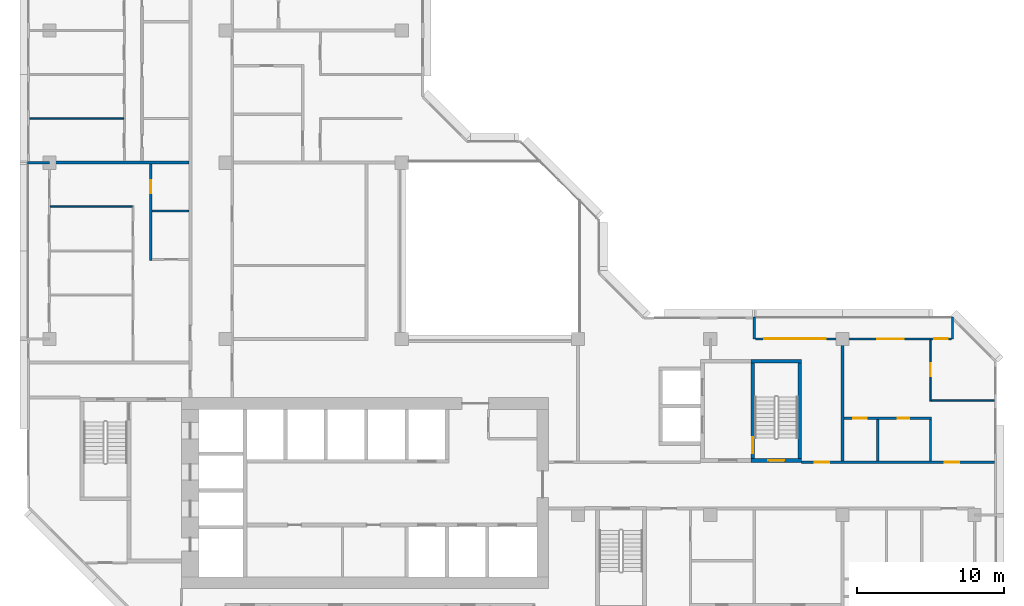
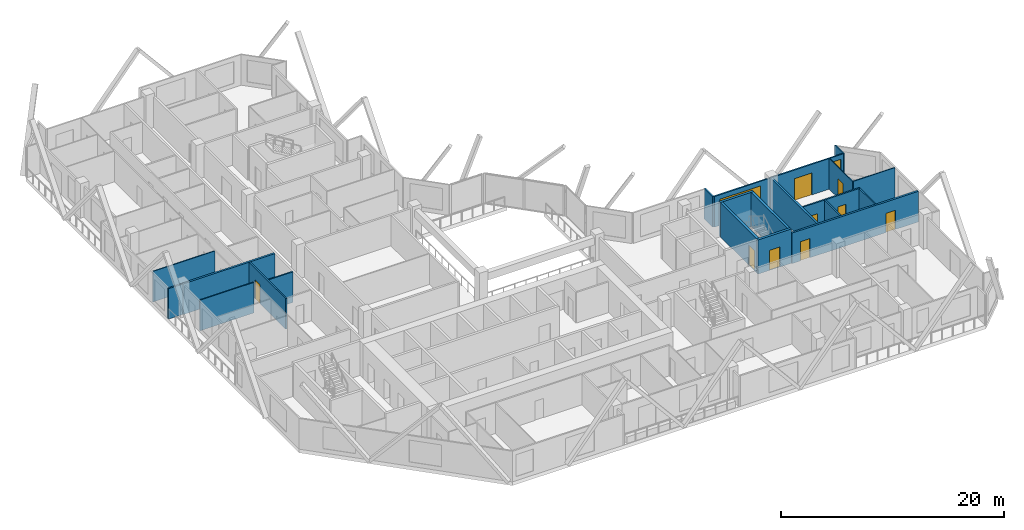
# One storey, part 8 of 14: 20 walls, 9 doors, 2 windows, 11 openings.
"""IFC4 building model written with IfcOpenShell, lengths in metres."""

from ifc_helpers import new_model, si_unit, direction, frame, frame_2d, origin, place, context, subcontext, project, spatial, rectangle, extrude, material, layer, layer_set, type_object, element, fill, save


model = new_model("IFC4")

# Units and contexts
model_context = context("Model", 3, precision=1e-05, world=origin(), true_north=direction((0.0, 1.0)))
body_context = subcontext(model_context, "Body", "Model", "MODEL_VIEW")
ifc_project = project(units=[si_unit("LENGTHUNIT", "METRE"), si_unit("AREAUNIT", "SQUARE_METRE"), si_unit("VOLUMEUNIT", "CUBIC_METRE"), si_unit("PLANEANGLEUNIT", "RADIAN"), si_unit("MASSUNIT", "GRAM", prefix="KILO")], contexts=[model_context])

# Site, building, storey
site_placement = place(None, origin())
site = spatial("IfcSite", under=ifc_project, at=site_placement, CompositionType="ELEMENT")
building_placement = place(site_placement, origin())
building = spatial("IfcBuilding", under=site, at=building_placement, Name="Chenar Terraces", CompositionType="ELEMENT")
storey_placement = place(building_placement, frame((0.0, 0.0, 157.39990234375)))
storey = spatial("IfcBuildingStorey", under=building, at=storey_placement, Name="L35", CompositionType="ELEMENT", Elevation=157.39990234375)

# Wall, opening, door
ifc_material_1 = material(Name="Concrete C60/75", Category="concrete")
ifc_layer_1 = layer(ifc_material_1, 0.25)
ifc_layer_set_1 = layer_set([ifc_layer_1], Name="Concrete C60/75")
wall_type_1 = type_object("IfcWallType", Name="Core wall 250 Concrete C60/75", PredefinedType="SHEAR", material=ifc_layer_set_1)
wall_1_placement = place(storey_placement, frame((47.77490234375, 15.72509765625, 0.0), z_axis=(0.0, 0.0, 1.0), x_axis=(1.0, 0.0, 0.0)))
wall_1 = element("IfcWall", 1, at=wall_1_placement, inside=storey, type_object=wall_type_1, Name="Core wall ST3_S L35", PredefinedType="SHEAR", context=body_context, shape_type="SweptSolid", body=[
    extrude(rectangle(XDim=3.4501953125, YDim=0.25, at=frame_2d((1.72509765625, 0.0))), origin(), (0.0, 0.0, 1.0), 3.75),
])
opening_1_placement = place(wall_1_placement, frame((1.175048828125, 0.0, 0.0)))
opening_1 = element("IfcOpeningElement", 2, at=opening_1_placement, cuts=wall_1, Name="Opening DL35-C8", PredefinedType="OPENING", context=body_context, shape_type="SweptSolid", body=[
    extrude(rectangle(XDim=1.10009765625, YDim=2.199951171875, at=frame_2d((0.550048828125, 1.10009765625))), frame((0.0, 0.135009765625, 0.0), z_axis=(0.0, -1.0, 0.0), x_axis=(1.0, 0.0, 0.0)), (0.0, 0.0, 1.0), 0.27001953125),
])
ifc_material_2 = material(Name="Steel-framed fire-resisting door leaf", Category="steel")
door_type_1 = type_object("IfcDoorType", Name="Stair fire door FD60 1100 x 2200", OperationType="SINGLE_SWING_LEFT", PredefinedType="DOOR", material=ifc_material_2)
door_1_placement = place(opening_1_placement, frame((1.10009765625, 0.0, 0.0), z_axis=(0.0, 0.0, 1.0), x_axis=(-1.0, 0.0, 0.0)))
door_1 = element("IfcDoor", 3, at=door_1_placement, inside=storey, type_object=door_type_1, Name="Stair door DL35-C8", OperationType="SINGLE_SWING_LEFT", OverallHeight=2.199951171875, OverallWidth=1.10009765625, PredefinedType="DOOR", context=body_context, shape_type="SweptSolid", body=[
    extrude(rectangle(XDim=1.10009765625, YDim=2.199951171875, at=frame_2d((0.550048828125, 1.10009765625))), frame((0.0, 0.02490234375, 0.0), z_axis=(0.0, -1.0, 0.0), x_axis=(1.0, 0.0, 0.0)), (0.0, 0.0, 1.0), 0.050048828125),
])
fill(opening_1, door_1)

# Wall
wall_2_placement = place(storey_placement, frame((47.77490234375, 22.47509765625, 0.0), z_axis=(0.0, 0.0, 1.0), x_axis=(1.0, 0.0, 0.0)))
element("IfcWall", 4, at=wall_2_placement, inside=storey, type_object=wall_type_1, Name="Core wall ST3_N L35", PredefinedType="SHEAR", context=body_context, shape_type="SweptSolid", body=[
    extrude(rectangle(XDim=3.4501953125, YDim=0.25, at=frame_2d((1.72509765625, 0.0))), origin(), (0.0, 0.0, 1.0), 3.75),
])

# Wall, opening, door
wall_3_placement = place(storey_placement, frame((47.89990234375, 15.85009765625, 0.0), z_axis=(0.0, 0.0, 1.0), x_axis=(0.0, 1.0, 0.0)))
wall_3 = element("IfcWall", 5, at=wall_3_placement, inside=storey, type_object=wall_type_1, Name="Core wall ST3_W L35", PredefinedType="SHEAR", context=body_context, shape_type="SweptSolid", body=[
    extrude(rectangle(XDim=6.5, YDim=0.25, at=frame_2d((3.25, 0.0))), origin(), (0.0, 0.0, 1.0), 3.75),
])
opening_2_placement = place(wall_3_placement, frame((0.35009765625, 0.0, 0.0)))
opening_2 = element("IfcOpeningElement", 6, at=opening_2_placement, cuts=wall_3, Name="Opening DL35-C11", PredefinedType="OPENING", context=body_context, shape_type="SweptSolid", body=[
    extrude(rectangle(XDim=1.10009765625, YDim=2.199951171875, at=frame_2d((0.550048828125, 1.10009765625))), frame((0.0, 0.135009765625, 0.0), z_axis=(0.0, -1.0, 0.0), x_axis=(1.0, 0.0, 0.0)), (0.0, 0.0, 1.0), 0.27001953125),
])
door_2_placement = place(opening_2_placement, frame((1.10009765625, 0.0, 0.0), z_axis=(0.0, 0.0, 1.0), x_axis=(-1.0, 0.0, 0.0)))
door_2 = element("IfcDoor", 7, at=door_2_placement, inside=storey, type_object=door_type_1, Name="Stair door DL35-C11", OperationType="SINGLE_SWING_RIGHT", OverallHeight=2.199951171875, OverallWidth=1.10009765625, PredefinedType="DOOR", context=body_context, shape_type="SweptSolid", body=[
    extrude(rectangle(XDim=1.10009765625, YDim=2.199951171875, at=frame_2d((0.550048828125, 1.10009765625))), frame((0.0, 0.02490234375, 0.0), z_axis=(0.0, -1.0, 0.0), x_axis=(1.0, 0.0, 0.0)), (0.0, 0.0, 1.0), 0.050048828125),
])
fill(opening_2, door_2)

# Wall
wall_4_placement = place(storey_placement, frame((51.10009765625, 15.85009765625, 0.0), z_axis=(0.0, 0.0, 1.0), x_axis=(0.0, 1.0, 0.0)))
element("IfcWall", 8, at=wall_4_placement, inside=storey, type_object=wall_type_1, Name="Core wall ST3_E L35", PredefinedType="SHEAR", context=body_context, shape_type="SweptSolid", body=[
    extrude(rectangle(XDim=6.5, YDim=0.25, at=frame_2d((3.25, 0.0))), origin(), (0.0, 0.0, 1.0), 3.75),
])

# Wall, openings, doors
ifc_material_3 = material(Name="Gypsum board on steel studs with fire boards", Category="steel")
ifc_layer_2 = layer(ifc_material_3, 0.199951171875)
ifc_layer_set_2 = layer_set([ifc_layer_2], Name="Gypsum board on steel studs with fire boards")
wall_type_2 = type_object("IfcWallType", Name="Corridor wall 200", PredefinedType="PARTITIONING", material=ifc_layer_set_2)
wall_5_placement = place(storey_placement, frame((51.22509765625, 15.60009765625, 0.0), z_axis=(0.0, 0.0, 1.0), x_axis=(1.0, 0.0, 0.0)))
wall_5 = element("IfcWall", 9, at=wall_5_placement, inside=storey, type_object=wall_type_2, Name="Partition L35-072", PredefinedType="PARTITIONING", context=body_context, shape_type="SweptSolid", body=[
    extrude(rectangle(XDim=13.125, YDim=0.199951171875, at=frame_2d((6.5625, 0.0))), origin(), (0.0, 0.0, 1.0), 3.35009765625),
])
opening_3_placement = place(wall_5_placement, frame((9.72509765625, 0.0, 0.0)))
opening_3 = element("IfcOpeningElement", 10, at=opening_3_placement, cuts=wall_5, Name="Opening DL35-7", PredefinedType="OPENING", context=body_context, shape_type="SweptSolid", body=[
    extrude(rectangle(XDim=1.0, YDim=2.10009765625, at=frame_2d((0.5, 1.050048828125))), frame((0.0, 0.10986328125, 0.0), z_axis=(0.0, -1.0, 0.0), x_axis=(1.0, 0.0, 0.0)), (0.0, 0.0, 1.0), 0.219970703125),
])
opening_4_placement = place(wall_5_placement, frame((0.875, 0.0, 0.0)))
opening_4 = element("IfcOpeningElement", 11, at=opening_4_placement, cuts=wall_5, Name="Opening DL35-39", PredefinedType="OPENING", context=body_context, shape_type="SweptSolid", body=[
    extrude(rectangle(XDim=1.0, YDim=2.10009765625, at=frame_2d((0.5, 1.050048828125))), frame((0.0, 0.10986328125, 0.0), z_axis=(0.0, -1.0, 0.0), x_axis=(1.0, 0.0, 0.0)), (0.0, 0.0, 1.0), 0.219970703125),
])
ifc_material_4 = material(Name="Steel-framed fire-resisting door leaf", Category="steel")
door_type_2 = type_object("IfcDoorType", Name="Fire door FD30S 1000 x 2100", OperationType="SINGLE_SWING_LEFT", PredefinedType="DOOR", material=ifc_material_4)
door_3_placement = place(opening_3_placement, origin())
door_3 = element("IfcDoor", 12, at=door_3_placement, inside=storey, type_object=door_type_2, Name="Door DL35-7", OperationType="SINGLE_SWING_LEFT", OverallHeight=2.10009765625, OverallWidth=1.0, PredefinedType="DOOR", context=body_context, shape_type="SweptSolid", body=[
    extrude(rectangle(XDim=1.0, YDim=2.10009765625, at=frame_2d((0.5, 1.050048828125))), frame((0.0, 0.02490234375, 0.0), z_axis=(0.0, -1.0, 0.0), x_axis=(1.0, 0.0, 0.0)), (0.0, 0.0, 1.0), 0.050048828125),
])
fill(opening_3, door_3)
door_4_placement = place(opening_4_placement, origin())
door_4 = element("IfcDoor", 13, at=door_4_placement, inside=storey, type_object=door_type_2, Name="Door DL35-39", OperationType="SINGLE_SWING_RIGHT", OverallHeight=2.10009765625, OverallWidth=1.0, PredefinedType="DOOR", context=body_context, shape_type="SweptSolid", body=[
    extrude(rectangle(XDim=1.0, YDim=2.10009765625, at=frame_2d((0.5, 1.050048828125))), frame((0.0, 0.02490234375, 0.0), z_axis=(0.0, -1.0, 0.0), x_axis=(1.0, 0.0, 0.0)), (0.0, 0.0, 1.0), 0.050048828125),
])
fill(opening_4, door_4)

# Wall, openings, windows, door
ifc_material_5 = material(Name="Aluminium framed glazing", Category="aluminium")
ifc_layer_3 = layer(ifc_material_5, 0.14990234375)
ifc_layer_set_3 = layer_set([ifc_layer_3], Name="Aluminium framed glazing")
wall_type_3 = type_object("IfcWallType", Name="Glazed loggia back wall 150", PredefinedType="SOLIDWALL", material=ifc_layer_set_3)
wall_6_placement = place(storey_placement, frame((61.425048828125, 24.0, 0.0), z_axis=(0.0, 0.0, 1.0), x_axis=(-1.0, 0.0, 0.0)))
wall_6 = element("IfcWall", 14, at=wall_6_placement, inside=storey, type_object=wall_type_3, Name="Glazed loggia back wall", PredefinedType="SOLIDWALL", context=body_context, shape_type="SweptSolid", body=[
    extrude(rectangle(XDim=13.35009765625, YDim=0.14990234375, at=frame_2d((6.675048828125, 0.0))), origin(), (0.0, 0.0, 1.0), 3.35009765625),
])
opening_5_placement = place(wall_6_placement, frame((0.262451171875, 0.0, 0.449951171875)))
opening_5 = element("IfcOpeningElement", 15, at=opening_5_placement, cuts=wall_6, Name="Opening W90x240", PredefinedType="OPENING", context=body_context, shape_type="SweptSolid", body=[
    extrude(rectangle(XDim=0.89990234375, YDim=2.39990234375, at=frame_2d((0.449951171875, 1.199951171875))), frame((0.0, 0.0849609375, 0.0), z_axis=(0.0, -1.0, 0.0), x_axis=(1.0, 0.0, 0.0)), (0.0, 0.0, 1.0), 0.169921875),
])
opening_6_placement = place(wall_6_placement, frame((3.25, 0.0, 0.0)))
opening_6 = element("IfcOpeningElement", 16, at=opening_6_placement, cuts=wall_6, Name="Opening DL35-G1", PredefinedType="OPENING", context=body_context, shape_type="SweptSolid", body=[
    extrude(rectangle(XDim=1.800048828125, YDim=2.39990234375, at=frame_2d((0.89990234375, 1.199951171875))), frame((0.0, 0.0849609375, 0.0), z_axis=(0.0, -1.0, 0.0), x_axis=(1.0, 0.0, 0.0)), (0.0, 0.0, 1.0), 0.169921875),
])
opening_7_placement = place(wall_6_placement, frame((8.5625, 0.0, 0.449951171875)))
opening_7 = element("IfcOpeningElement", 17, at=opening_7_placement, cuts=wall_6, Name="Opening W420x240", PredefinedType="OPENING", context=body_context, shape_type="SweptSolid", body=[
    extrude(rectangle(XDim=4.199951171875, YDim=2.39990234375, at=frame_2d((2.10009765625, 1.199951171875))), frame((0.0, 0.0849609375, 0.0), z_axis=(0.0, -1.0, 0.0), x_axis=(1.0, 0.0, 0.0)), (0.0, 0.0, 1.0), 0.169921875),
])
ifc_material_6 = material(Name="Low emissivity double glazing, aluminium frame", Category="aluminium")
window_type_1 = type_object("IfcWindowType", Name="Fixed light 4200 x 2400", PartitioningType="SINGLE_PANEL", PredefinedType="WINDOW", material=ifc_material_6)
window_1_placement = place(opening_7_placement, origin())
window_1 = element("IfcWindow", 18, at=window_1_placement, inside=storey, type_object=window_type_1, Name="Window", OverallHeight=2.39990234375, OverallWidth=4.199951171875, PartitioningType="SINGLE_PANEL", PredefinedType="WINDOW", context=body_context, shape_type="SweptSolid", body=[
    extrude(rectangle(XDim=4.199951171875, YDim=2.39990234375, at=frame_2d((2.10009765625, 1.199951171875))), frame((0.0, 0.030029296875, 0.0), z_axis=(0.0, -1.0, 0.0), x_axis=(1.0, 0.0, 0.0)), (0.0, 0.0, 1.0), 0.06005859375),
])
fill(opening_7, window_1)
ifc_material_7 = material(Name="Low emissivity double glazing, aluminium frame", Category="aluminium")
window_type_2 = type_object("IfcWindowType", Name="Fixed light 900 x 2400", PartitioningType="SINGLE_PANEL", PredefinedType="WINDOW", material=ifc_material_7)
window_2_placement = place(opening_5_placement, origin())
window_2 = element("IfcWindow", 19, at=window_2_placement, inside=storey, type_object=window_type_2, Name="Window", OverallHeight=2.39990234375, OverallWidth=0.89990234375, PartitioningType="SINGLE_PANEL", PredefinedType="WINDOW", context=body_context, shape_type="SweptSolid", body=[
    extrude(rectangle(XDim=0.89990234375, YDim=2.39990234375, at=frame_2d((0.449951171875, 1.199951171875))), frame((0.0, 0.030029296875, 0.0), z_axis=(0.0, -1.0, 0.0), x_axis=(1.0, 0.0, 0.0)), (0.0, 0.0, 1.0), 0.06005859375),
])
fill(opening_5, window_2)
ifc_material_8 = material(Name="Low emissivity double glazing, aluminium frame", Category="aluminium")
door_type_3 = type_object("IfcDoorType", Name="Loggia glazed double door 1800 x 2400", OperationType="DOUBLE_DOOR_SINGLE_SWING", PredefinedType="DOOR", material=ifc_material_8)
door_5_placement = place(opening_6_placement, frame((1.800048828125, 0.0, 0.0), z_axis=(0.0, 0.0, 1.0), x_axis=(-1.0, 0.0, 0.0)))
door_5 = element("IfcDoor", 20, at=door_5_placement, inside=storey, type_object=door_type_3, Name="Loggia glazed door", OperationType="DOUBLE_DOOR_SINGLE_SWING", OverallHeight=2.39990234375, OverallWidth=1.800048828125, PredefinedType="DOOR", context=body_context, shape_type="SweptSolid", body=[
    extrude(rectangle(XDim=1.800048828125, YDim=2.39990234375, at=frame_2d((0.89990234375, 1.199951171875))), frame((0.0, 0.02490234375, 0.0), z_axis=(0.0, -1.0, 0.0), x_axis=(1.0, 0.0, 0.0)), (0.0, 0.0, 1.0), 0.050048828125),
])
fill(opening_6, door_5)

# Walls
ifc_material_9 = material(Name="Gypsum board on steel studs", Category="steel")
ifc_layer_4 = layer(ifc_material_9, 0.10009765625)
ifc_layer_set_4 = layer_set([ifc_layer_4], Name="Gypsum board on steel studs")
wall_type_4 = type_object("IfcWallType", Name="Gypsum partition 100", PredefinedType="PARTITIONING", material=ifc_layer_set_4)
wall_7_placement = place(storey_placement, frame((-1.35107421875, 39.0, 0.0), z_axis=(0.0, 0.0, 1.0), x_axis=(1.0, 0.0, 0.0)))
element("IfcWall", 21, at=wall_7_placement, inside=storey, type_object=wall_type_4, Name="Partition L35-001", PredefinedType="PARTITIONING", context=body_context, shape_type="SweptSolid", body=[
    extrude(rectangle(XDim=6.401123046875, YDim=0.10009765625, at=frame_2d((3.20068359375, 0.0))), origin(), (0.0, 0.0, 1.0), 3.35009765625),
])
wall_8_placement = place(storey_placement, frame((0.073974609375, 33.0, 0.0), z_axis=(0.0, 0.0, 1.0), x_axis=(1.0, 0.0, 0.0)))
element("IfcWall", 22, at=wall_8_placement, inside=storey, type_object=wall_type_4, Name="Partition L35-010", PredefinedType="PARTITIONING", context=body_context, shape_type="SweptSolid", body=[
    extrude(rectangle(XDim=5.575927734375, YDim=0.10009765625, at=frame_2d((2.7880859375, 0.0))), origin(), (0.0, 0.0, 1.0), 3.35009765625),
])

# Wall, opening, door
wall_9_placement = place(storey_placement, frame((60.0, 19.75, 0.0), z_axis=(0.0, 0.0, 1.0), x_axis=(0.0, 1.0, 0.0)))
wall_9 = element("IfcWall", 23, at=wall_9_placement, inside=storey, type_object=wall_type_4, Name="Partition L35-083", PredefinedType="PARTITIONING", context=body_context, shape_type="SweptSolid", body=[
    extrude(rectangle(XDim=4.176025390625, YDim=0.10009765625, at=frame_2d((2.087890625, 0.0))), origin(), (0.0, 0.0, 1.0), 3.35009765625),
])
opening_8_placement = place(wall_9_placement, frame((1.699951171875, 0.0, 0.0)))
opening_8 = element("IfcOpeningElement", 24, at=opening_8_placement, cuts=wall_9, Name="Opening DL35-5", PredefinedType="OPENING", context=body_context, shape_type="SweptSolid", body=[
    extrude(rectangle(XDim=0.89990234375, YDim=2.10009765625, at=frame_2d((0.449951171875, 1.050048828125))), frame((0.0, 0.06005859375, 0.0), z_axis=(0.0, -1.0, 0.0), x_axis=(1.0, 0.0, 0.0)), (0.0, 0.0, 1.0), 0.1201171875),
])
ifc_material_10 = material(Name="Veneered timber door leaf", Category="wood")
door_type_4 = type_object("IfcDoorType", Name="Door 900 x 2100", OperationType="SINGLE_SWING_LEFT", PredefinedType="DOOR", material=ifc_material_10)
door_6_placement = place(opening_8_placement, frame((0.89990234375, 0.0, 0.0), z_axis=(0.0, 0.0, 1.0), x_axis=(-1.0, 0.0, 0.0)))
door_6 = element("IfcDoor", 25, at=door_6_placement, inside=storey, type_object=door_type_4, Name="Door DL35-5", OperationType="SINGLE_SWING_RIGHT", OverallHeight=2.10009765625, OverallWidth=0.89990234375, PredefinedType="DOOR", context=body_context, shape_type="SweptSolid", body=[
    extrude(rectangle(XDim=0.89990234375, YDim=2.10009765625, at=frame_2d((0.449951171875, 1.050048828125))), frame((0.0, 0.02490234375, 0.0), z_axis=(0.0, -1.0, 0.0), x_axis=(1.0, 0.0, 0.0)), (0.0, 0.0, 1.0), 0.050048828125),
])
fill(opening_8, door_6)

# Walls
wall_10_placement = place(storey_placement, frame((60.050048828125, 19.800048828125, 0.0), z_axis=(0.0, 0.0, 1.0), x_axis=(1.0, 0.0, 0.0)))
element("IfcWall", 26, at=wall_10_placement, inside=storey, type_object=wall_type_4, Name="Partition L35-084", PredefinedType="PARTITIONING", context=body_context, shape_type="SweptSolid", body=[
    extrude(rectangle(XDim=4.300048828125, YDim=0.10009765625, at=frame_2d((2.14990234375, 0.0))), origin(), (0.0, 0.0, 1.0), 3.35009765625),
])
ifc_material_11 = material(Name="Terracotta cladding on insulated backing", Category="masonry")
ifc_layer_5 = layer(ifc_material_11, 0.14990234375)
ifc_layer_set_5 = layer_set([ifc_layer_5], Name="Terracotta cladding on insulated backing")
wall_type_5 = type_object("IfcWallType", Name="Loggia return wall 150", PredefinedType="SOLIDWALL", material=ifc_layer_set_5)
for number, where, z_axis, x_axis, name in (
    (27, (61.5, 25.5, 0.0), (0.0, 0.0, 1.0), (0.0, -1.0, 0.0), "Loggia return wall"),
    (28, (48.0, 25.5, 0.0), (0.0, 0.0, 1.0), (0.0, -1.0, 0.0), "Loggia return wall"),
    (29, (-1.5, 36.0, 0.0), (0.0, 0.0, 1.0), (1.0, 0.0, 0.0), "Loggia return wall"),
):
    element("IfcWall", number, at=place(storey_placement, frame(where, z_axis=z_axis, x_axis=x_axis)), inside=storey, type_object=wall_type_5, Name=name, PredefinedType="SOLIDWALL", context=body_context, shape_type="SweptSolid", body=[
        extrude(rectangle(XDim=1.5, YDim=0.14990234375, at=frame_2d((0.75, 0.0))), origin(), (0.0, 0.0, 1.0), 3.35009765625),
    ])
ifc_material_12 = material(Name="Twin gypsum board on steel studs with mineral wool", Category="steel")
ifc_layer_6 = layer(ifc_material_12, 0.199951171875)
ifc_layer_set_6 = layer_set([ifc_layer_6], Name="Twin gypsum board on steel studs with mineral wool")
wall_type_6 = type_object("IfcWallType", Name="Unit demising wall 200", PredefinedType="PARTITIONING", material=ifc_layer_set_6)
wall_11_placement = place(storey_placement, frame((0.0, 36.0, 0.0), z_axis=(0.0, 0.0, 1.0), x_axis=(1.0, 0.0, 0.0)))
element("IfcWall", 30, at=wall_11_placement, inside=storey, type_object=wall_type_6, Name="Partition L35-006", PredefinedType="PARTITIONING", context=body_context, shape_type="SweptSolid", body=[
    extrude(rectangle(XDim=9.5, YDim=0.199951171875, at=frame_2d((4.75, 0.0))), origin(), (0.0, 0.0, 1.0), 3.35009765625),
])
wall_12_placement = place(storey_placement, frame((54.0, 15.699951171875, 0.0), z_axis=(0.0, 0.0, 1.0), x_axis=(0.0, 1.0, 0.0)))
element("IfcWall", 31, at=wall_12_placement, inside=storey, type_object=wall_type_6, Name="Partition L35-074", PredefinedType="PARTITIONING", context=body_context, shape_type="SweptSolid", body=[
    extrude(rectangle(XDim=8.22607421875, YDim=0.199951171875, at=frame_2d((4.113037109375, 0.0))), origin(), (0.0, 0.0, 1.0), 3.35009765625),
])

# Wall, opening, door
ifc_material_13 = material(Name="Moisture-resistant gypsum board on steel studs", Category="steel")
ifc_layer_7 = layer(ifc_material_13, 0.14990234375)
ifc_layer_set_7 = layer_set([ifc_layer_7], Name="Moisture-resistant gypsum board on steel studs")
wall_type_7 = type_object("IfcWallType", Name="Wet-room partition 150", PredefinedType="PARTITIONING", material=ifc_layer_set_7)
wall_13_placement = place(storey_placement, frame((6.89990234375, 29.324951171875, 0.0), z_axis=(0.0, 0.0, 1.0), x_axis=(0.0, 1.0, 0.0)))
wall_13 = element("IfcWall", 32, at=wall_13_placement, inside=storey, type_object=wall_type_7, Name="Partition L35-023", PredefinedType="PARTITIONING", context=body_context, shape_type="SweptSolid", body=[
    extrude(rectangle(XDim=6.574951171875, YDim=0.14990234375, at=frame_2d((3.28759765625, 0.0))), origin(), (0.0, 0.0, 1.0), 3.35009765625),
])
opening_9_placement = place(wall_13_placement, frame((4.574951171875, 0.0, 0.0)))
opening_9 = element("IfcOpeningElement", 33, at=opening_9_placement, cuts=wall_13, Name="Opening DL35-61", PredefinedType="OPENING", context=body_context, shape_type="SweptSolid", body=[
    extrude(rectangle(XDim=0.89990234375, YDim=2.10009765625, at=frame_2d((0.449951171875, 1.050048828125))), frame((0.0, 0.0849609375, 0.0), z_axis=(0.0, -1.0, 0.0), x_axis=(1.0, 0.0, 0.0)), (0.0, 0.0, 1.0), 0.169921875),
])
door_7_placement = place(opening_9_placement, frame((0.89990234375, 0.0, 0.0), z_axis=(0.0, 0.0, 1.0), x_axis=(-1.0, 0.0, 0.0)))
door_7 = element("IfcDoor", 34, at=door_7_placement, inside=storey, type_object=door_type_4, Name="Door DL35-61", OperationType="SINGLE_SWING_LEFT", OverallHeight=2.10009765625, OverallWidth=0.89990234375, PredefinedType="DOOR", context=body_context, shape_type="SweptSolid", body=[
    extrude(rectangle(XDim=0.89990234375, YDim=2.10009765625, at=frame_2d((0.449951171875, 1.050048828125))), frame((0.0, 0.02490234375, 0.0), z_axis=(0.0, -1.0, 0.0), x_axis=(1.0, 0.0, 0.0)), (0.0, 0.0, 1.0), 0.050048828125),
])
fill(opening_9, door_7)

# Wall
wall_14_placement = place(storey_placement, frame((6.97509765625, 32.699951171875, 0.0), z_axis=(0.0, 0.0, 1.0), x_axis=(1.0, 0.0, 0.0)))
element("IfcWall", 35, at=wall_14_placement, inside=storey, type_object=wall_type_7, Name="Partition L35-025", PredefinedType="PARTITIONING", context=body_context, shape_type="SweptSolid", body=[
    extrude(rectangle(XDim=2.52490234375, YDim=0.14990234375, at=frame_2d((1.262451171875, 0.0))), origin(), (0.0, 0.0, 1.0), 3.35009765625),
])

# Wall, openings, doors
wall_15_placement = place(storey_placement, frame((54.10009765625, 18.60009765625, 0.0), z_axis=(0.0, 0.0, 1.0), x_axis=(1.0, 0.0, 0.0)))
wall_15 = element("IfcWall", 36, at=wall_15_placement, inside=storey, type_object=wall_type_7, Name="Partition L35-077", PredefinedType="PARTITIONING", context=body_context, shape_type="SweptSolid", body=[
    extrude(rectangle(XDim=5.974853515625, YDim=0.14990234375, at=frame_2d((2.9873046875, 0.0))), origin(), (0.0, 0.0, 1.0), 3.35009765625),
])
opening_10_placement = place(wall_15_placement, frame((3.64990234375, 0.0, 0.0)))
opening_10 = element("IfcOpeningElement", 37, at=opening_10_placement, cuts=wall_15, Name="Opening DL35-4", PredefinedType="OPENING", context=body_context, shape_type="SweptSolid", body=[
    extrude(rectangle(XDim=0.800048828125, YDim=2.10009765625, at=frame_2d((0.39990234375, 1.050048828125))), frame((0.0, 0.0849609375, 0.0), z_axis=(0.0, -1.0, 0.0), x_axis=(1.0, 0.0, 0.0)), (0.0, 0.0, 1.0), 0.169921875),
])
opening_11_placement = place(wall_15_placement, frame((0.64990234375, 0.0, 0.0)))
opening_11 = element("IfcOpeningElement", 38, at=opening_11_placement, cuts=wall_15, Name="Opening DL35-6", PredefinedType="OPENING", context=body_context, shape_type="SweptSolid", body=[
    extrude(rectangle(XDim=0.89990234375, YDim=2.10009765625, at=frame_2d((0.449951171875, 1.050048828125))), frame((0.0, 0.0849609375, 0.0), z_axis=(0.0, -1.0, 0.0), x_axis=(1.0, 0.0, 0.0)), (0.0, 0.0, 1.0), 0.169921875),
])
ifc_material_14 = material(Name="Veneered timber door leaf", Category="wood")
door_type_5 = type_object("IfcDoorType", Name="Door 800 x 2100", OperationType="SINGLE_SWING_LEFT", PredefinedType="DOOR", material=ifc_material_14)
door_8_placement = place(opening_10_placement, frame((0.800048828125, 0.0, 0.0), z_axis=(0.0, 0.0, 1.0), x_axis=(-1.0, 0.0, 0.0)))
door_8 = element("IfcDoor", 39, at=door_8_placement, inside=storey, type_object=door_type_5, Name="Door DL35-4", OperationType="SINGLE_SWING_RIGHT", OverallHeight=2.10009765625, OverallWidth=0.800048828125, PredefinedType="DOOR", context=body_context, shape_type="SweptSolid", body=[
    extrude(rectangle(XDim=0.800048828125, YDim=2.10009765625, at=frame_2d((0.39990234375, 1.050048828125))), frame((0.0, 0.02490234375, 0.0), z_axis=(0.0, -1.0, 0.0), x_axis=(1.0, 0.0, 0.0)), (0.0, 0.0, 1.0), 0.050048828125),
])
fill(opening_10, door_8)
door_9_placement = place(opening_11_placement, frame((0.89990234375, 0.0, 0.0), z_axis=(0.0, 0.0, 1.0), x_axis=(-1.0, 0.0, 0.0)))
door_9 = element("IfcDoor", 40, at=door_9_placement, inside=storey, type_object=door_type_4, Name="Door DL35-6", OperationType="SINGLE_SWING_LEFT", OverallHeight=2.10009765625, OverallWidth=0.89990234375, PredefinedType="DOOR", context=body_context, shape_type="SweptSolid", body=[
    extrude(rectangle(XDim=0.89990234375, YDim=2.10009765625, at=frame_2d((0.449951171875, 1.050048828125))), frame((0.0, 0.02490234375, 0.0), z_axis=(0.0, -1.0, 0.0), x_axis=(1.0, 0.0, 0.0)), (0.0, 0.0, 1.0), 0.050048828125),
])
fill(opening_11, door_9)

# Walls
for number, where, z_axis, x_axis, name in (
    (41, (56.39990234375, 15.699951171875, 0.0), (0.0, 0.0, 1.0), (0.0, 1.0, 0.0), "Partition L35-078"),
    (42, (60.0, 15.699951171875, 0.0), (0.0, 0.0, 1.0), (0.0, 1.0, 0.0), "Partition L35-082"),
):
    element("IfcWall", number, at=place(storey_placement, frame(where, z_axis=z_axis, x_axis=x_axis)), inside=storey, type_object=wall_type_7, Name=name, PredefinedType="PARTITIONING", context=body_context, shape_type="SweptSolid", body=[
        extrude(rectangle(XDim=2.824951171875, YDim=0.14990234375, at=frame_2d((1.41259765625, 0.0))), origin(), (0.0, 0.0, 1.0), 3.35009765625),
    ])

save(model, "model.ifc")
